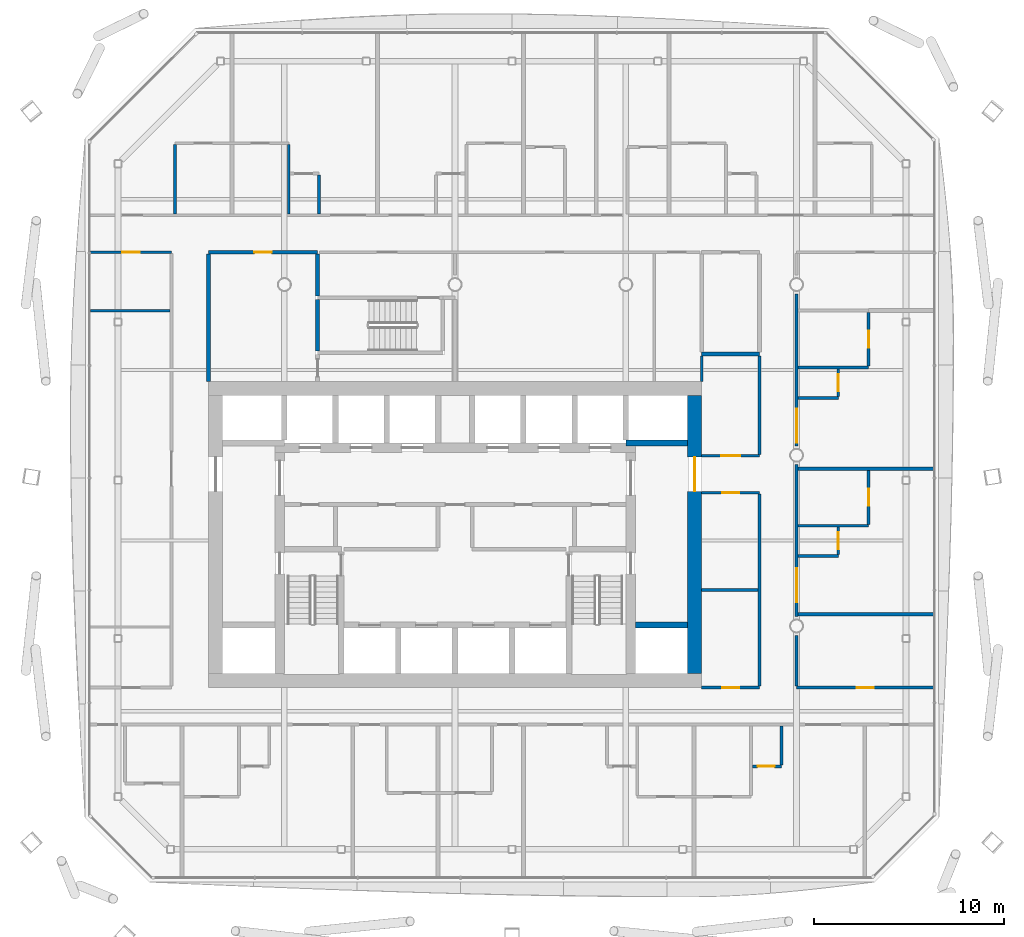
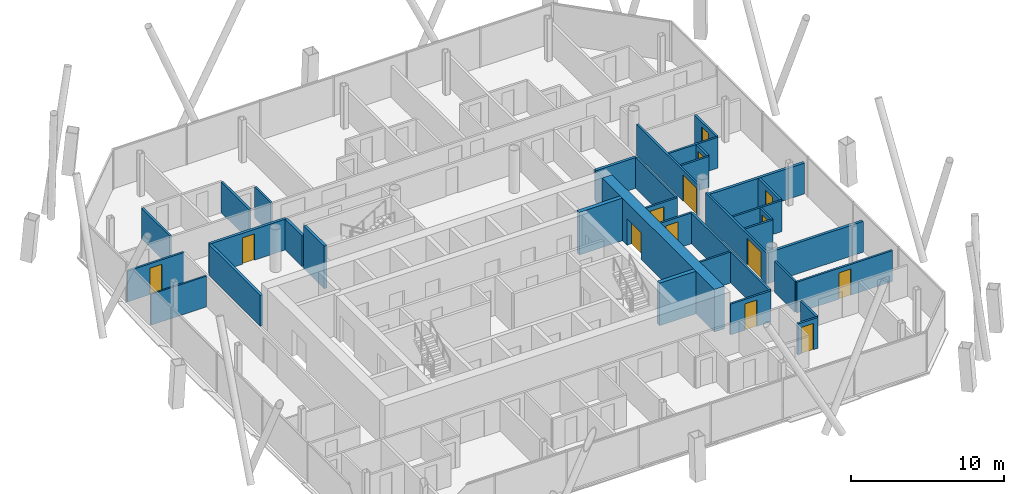
# One storey, part 16 of 23: 36 walls, 14 doors, 14 openings.
"""IFC4 building model written with IfcOpenShell, lengths in metres."""

from ifc_helpers import new_model, si_unit, direction, frame, frame_2d, origin, place, context, subcontext, project, spatial, rectangle, extrude, material, layer, layer_set, type_object, element, fill, save


model = new_model("IFC4")

# Units and contexts
model_context = context("Model", 3, precision=1e-05, world=origin(), true_north=direction((0.0, 1.0)))
body_context = subcontext(model_context, "Body", "Model", "MODEL_VIEW")
ifc_project = project(units=[si_unit("LENGTHUNIT", "METRE"), si_unit("AREAUNIT", "SQUARE_METRE"), si_unit("VOLUMEUNIT", "CUBIC_METRE"), si_unit("PLANEANGLEUNIT", "RADIAN"), si_unit("MASSUNIT", "GRAM", prefix="KILO")], contexts=[model_context])

# Site, building, storey
site_placement = place(None, origin())
site = spatial("IfcSite", under=ifc_project, at=site_placement, CompositionType="ELEMENT")
building_placement = place(site_placement, origin())
building = spatial("IfcBuilding", under=site, at=building_placement, Name="Tskaro Facet Tower", CompositionType="ELEMENT")
storey_placement = place(building_placement, frame((0.0, 0.0, 141.89990234375)))
storey = spatial("IfcBuildingStorey", under=building, at=storey_placement, Name="L34", CompositionType="ELEMENT", Elevation=141.89990234375)

# Walls
ifc_material_1 = material(Name="Concrete C60/75", Category="concrete")
ifc_layer_1 = layer(ifc_material_1, 0.300048828125, Name="Concrete C60/75")
ifc_layer_set_1 = layer_set([ifc_layer_1], Name="Concrete C60/75")
wall_type_1 = type_object("IfcWallType", Name="CORE-SHAFT", PredefinedType="SHEAR", material=ifc_layer_set_1)
wall_1_placement = place(storey_placement, frame((9.5, -8.949951171875, 0.0), z_axis=(0.0, 0.0, 1.0), x_axis=(1.0, 0.0, 0.0)))
element("IfcWall", 1, at=wall_1_placement, inside=storey, type_object=wall_type_1, Name="Shaft wall W015", PredefinedType="SHEAR", context=body_context, shape_type="SweptSolid", body=[
    extrude(rectangle(XDim=2.75, YDim=0.300048828125, at=frame_2d((1.375, 0.0))), origin(), (0.0, 0.0, 1.0), 3.400146484375),
])
wall_2_placement = place(storey_placement, frame((12.25, 0.64990234375, 0.0), z_axis=(0.0, 0.0, 1.0), x_axis=(-1.0, 0.0, 0.0)))
element("IfcWall", 2, at=wall_2_placement, inside=storey, type_object=wall_type_1, Name="Shaft wall W029", PredefinedType="SHEAR", context=body_context, shape_type="SweptSolid", body=[
    extrude(rectangle(XDim=3.25, YDim=0.300048828125, at=frame_2d((1.625, 0.0))), origin(), (0.0, 0.0, 1.0), 3.400146484375),
])

# Wall, opening, door
ifc_material_2 = material(Name="Concrete C50/60", Category="concrete")
ifc_layer_2 = layer(ifc_material_2, 0.75, Name="Concrete C50/60")
ifc_layer_set_2 = layer_set([ifc_layer_2], Name="Concrete C50/60")
wall_type_2 = type_object("IfcWallType", Name="Core wall 750", PredefinedType="SHEAR", material=ifc_layer_set_2)
wall_3_placement = place(storey_placement, frame((12.625, -11.5, 0.0), z_axis=(0.0, 0.0, 1.0), x_axis=(0.0, 1.0, 0.0)))
wall_3 = element("IfcWall", 3, at=wall_3_placement, inside=storey, type_object=wall_type_2, Name="Core wall CW-Z2E", PredefinedType="SHEAR", context=body_context, shape_type="SweptSolid", body=[
    extrude(rectangle(XDim=14.64990234375, YDim=0.75, at=frame_2d((7.324951171875, 0.0))), origin(), (0.0, 0.0, 1.0), 3.400146484375),
])
opening_1_placement = place(wall_3_placement, frame((9.60009765625, 0.0, 0.0)))
opening_1 = element("IfcOpeningElement", 4, at=opening_1_placement, cuts=wall_3, Name="Opening T10-D33", PredefinedType="OPENING", context=body_context, shape_type="SweptSolid", body=[
    extrude(rectangle(XDim=1.800048828125, YDim=2.10009765625, at=frame_2d((0.89990234375, 1.050048828125))), frame((0.0, 0.385009765625, 0.0), z_axis=(0.0, -1.0, 0.0), x_axis=(1.0, 0.0, 0.0)), (0.0, 0.0, 1.0), 0.77001953125),
])
ifc_material_3 = material(Name="Steel", Category="steel")
door_type_1 = type_object("IfcDoorType", Name="D-CORE-PAIR", OperationType="NOTDEFINED", PredefinedType="DOOR", material=ifc_material_3)
door_1_placement = place(opening_1_placement, origin())
door_1 = element("IfcDoor", 5, at=door_1_placement, inside=storey, type_object=door_type_1, Name="Door T10-D33", OperationType="DOUBLE_DOOR_SINGLE_SWING", OverallHeight=2.10009765625, OverallWidth=1.800048828125, PredefinedType="DOOR", context=body_context, shape_type="SweptSolid", body=[
    extrude(rectangle(XDim=1.800048828125, YDim=2.10009765625, at=frame_2d((0.89990234375, 1.050048828125))), frame((0.0, 0.02490234375, 0.0), z_axis=(0.0, -1.0, 0.0), x_axis=(1.0, 0.0, 0.0)), (0.0, 0.0, 1.0), 0.050048828125),
])
fill(opening_1, door_1)

# Wall
ifc_material_4 = material(Name="Gypsum board on steel studs", Category="steel")
ifc_layer_3 = layer(ifc_material_4, 0.125, Name="Gypsum board on steel studs")
ifc_layer_set_3 = layer_set([ifc_layer_3], Name="Gypsum board on steel studs")
wall_type_3 = type_object("IfcWallType", Name="PART", PredefinedType="PARTITIONING", material=ifc_layer_set_3)
wall_4_placement = place(storey_placement, frame((-19.221923828125, 7.6259765625, 0.0), z_axis=(0.0, 0.0, 1.0), x_axis=(1.0, 0.0, 0.0)))
element("IfcWall", 6, at=wall_4_placement, inside=storey, type_object=wall_type_3, Name="Partition W034", PredefinedType="PARTITIONING", context=body_context, shape_type="SweptSolid", body=[
    extrude(rectangle(XDim=4.197021484375, YDim=0.125, at=frame_2d((2.0986328125, 0.0))), origin(), (0.0, 0.0, 1.0), 2.460205078125),
])

# Wall, opening, door
ifc_layer_4 = layer(ifc_material_4, 0.14990234375, Name="Gypsum board on steel studs")
ifc_layer_set_4 = layer_set([ifc_layer_4], Name="Gypsum board on steel studs")
wall_type_4 = type_object("IfcWallType", Name="PART-CORR", PredefinedType="PARTITIONING", material=ifc_layer_set_4)
wall_5_placement = place(storey_placement, frame((15.675048828125, -16.39990234375, 0.0), z_axis=(0.0, 0.0, 1.0), x_axis=(1.0, 0.0, 0.0)))
wall_5 = element("IfcWall", 7, at=wall_5_placement, inside=storey, type_object=wall_type_4, Name="Corridor wall W007", PredefinedType="PARTITIONING", context=body_context, shape_type="SweptSolid", body=[
    extrude(rectangle(XDim=1.52490234375, YDim=0.14990234375, at=frame_2d((0.762451171875, 0.0))), origin(), (0.0, 0.0, 1.0), 2.460205078125),
])
opening_2_placement = place(wall_5_placement, frame((0.27490234375, 0.0, 0.0)))
opening_2 = element("IfcOpeningElement", 8, at=opening_2_placement, cuts=wall_5, Name="Opening T10-D09", PredefinedType="OPENING", context=body_context, shape_type="SweptSolid", body=[
    extrude(rectangle(XDim=0.89990234375, YDim=2.10009765625, at=frame_2d((0.449951171875, 1.050048828125))), frame((0.0, 0.0849609375, 0.0), z_axis=(0.0, -1.0, 0.0), x_axis=(1.0, 0.0, 0.0)), (0.0, 0.0, 1.0), 0.169921875),
])
ifc_material_5 = material(Name="Timber", Category="wood")
door_type_2 = type_object("IfcDoorType", Name="D-ROOM", OperationType="NOTDEFINED", PredefinedType="DOOR", material=ifc_material_5)
door_2_placement = place(opening_2_placement, origin())
door_2 = element("IfcDoor", 9, at=door_2_placement, inside=storey, type_object=door_type_2, Name="Door T10-D09", OperationType="SINGLE_SWING_LEFT", OverallHeight=2.10009765625, OverallWidth=0.89990234375, PredefinedType="DOOR", context=body_context, shape_type="SweptSolid", body=[
    extrude(rectangle(XDim=0.89990234375, YDim=2.10009765625, at=frame_2d((0.449951171875, 1.050048828125))), frame((0.0, 0.02490234375, 0.0), z_axis=(0.0, -1.0, 0.0), x_axis=(1.0, 0.0, 0.0)), (0.0, 0.0, 1.0), 0.050048828125),
])
fill(opening_2, door_2)

wall_6_placement = place(storey_placement, frame((13.0, -12.25, 0.0), z_axis=(0.0, 0.0, 1.0), x_axis=(1.0, 0.0, 0.0)))
wall_6 = element("IfcWall", 10, at=wall_6_placement, inside=storey, type_object=wall_type_4, Name="Corridor wall W010", PredefinedType="PARTITIONING", context=body_context, shape_type="SweptSolid", body=[
    extrude(rectangle(XDim=3.050048828125, YDim=0.14990234375, at=frame_2d((1.52490234375, 0.0))), origin(), (0.0, 0.0, 1.0), 2.460205078125),
])
opening_3_placement = place(wall_6_placement, frame((1.074951171875, 0.0, 0.0)))
opening_3 = element("IfcOpeningElement", 11, at=opening_3_placement, cuts=wall_6, Name="Opening T10-D18", PredefinedType="OPENING", context=body_context, shape_type="SweptSolid", body=[
    extrude(rectangle(XDim=0.89990234375, YDim=2.10009765625, at=frame_2d((0.449951171875, 1.050048828125))), frame((0.0, 0.0849609375, 0.0), z_axis=(0.0, -1.0, 0.0), x_axis=(1.0, 0.0, 0.0)), (0.0, 0.0, 1.0), 0.169921875),
])
door_3_placement = place(opening_3_placement, origin())
door_3 = element("IfcDoor", 12, at=door_3_placement, inside=storey, type_object=door_type_2, Name="Door T10-D18", OperationType="SINGLE_SWING_LEFT", OverallHeight=2.10009765625, OverallWidth=0.89990234375, PredefinedType="DOOR", context=body_context, shape_type="SweptSolid", body=[
    extrude(rectangle(XDim=0.89990234375, YDim=2.10009765625, at=frame_2d((0.449951171875, 1.050048828125))), frame((0.0, 0.02490234375, 0.0), z_axis=(0.0, -1.0, 0.0), x_axis=(1.0, 0.0, 0.0)), (0.0, 0.0, 1.0), 0.050048828125),
])
fill(opening_3, door_3)

wall_7_placement = place(storey_placement, frame((18.0, -12.25, 0.0), z_axis=(0.0, 0.0, 1.0), x_axis=(1.0, 0.0, 0.0)))
wall_7 = element("IfcWall", 13, at=wall_7_placement, inside=storey, type_object=wall_type_4, Name="Corridor wall W011", PredefinedType="PARTITIONING", context=body_context, shape_type="SweptSolid", body=[
    extrude(rectangle(XDim=7.221923828125, YDim=0.14990234375, at=frame_2d((3.61083984375, 0.0))), origin(), (0.0, 0.0, 1.0), 2.460205078125),
])
opening_4_placement = place(wall_7_placement, frame((3.160888671875, 0.0, 0.0)))
opening_4 = element("IfcOpeningElement", 14, at=opening_4_placement, cuts=wall_7, Name="Opening T10-D19", PredefinedType="OPENING", context=body_context, shape_type="SweptSolid", body=[
    extrude(rectangle(XDim=0.89990234375, YDim=2.10009765625, at=frame_2d((0.449951171875, 1.050048828125))), frame((0.0, 0.0849609375, 0.0), z_axis=(0.0, -1.0, 0.0), x_axis=(1.0, 0.0, 0.0)), (0.0, 0.0, 1.0), 0.169921875),
])
door_4_placement = place(opening_4_placement, origin())
door_4 = element("IfcDoor", 15, at=door_4_placement, inside=storey, type_object=door_type_2, Name="Door T10-D19", OperationType="SINGLE_SWING_LEFT", OverallHeight=2.10009765625, OverallWidth=0.89990234375, PredefinedType="DOOR", context=body_context, shape_type="SweptSolid", body=[
    extrude(rectangle(XDim=0.89990234375, YDim=2.10009765625, at=frame_2d((0.449951171875, 1.050048828125))), frame((0.0, 0.02490234375, 0.0), z_axis=(0.0, -1.0, 0.0), x_axis=(1.0, 0.0, 0.0)), (0.0, 0.0, 1.0), 0.050048828125),
])
fill(opening_4, door_4)

# Walls
wall_8_placement = place(storey_placement, frame((13.0, -7.112060546875, 0.0), z_axis=(0.0, 0.0, 1.0), x_axis=(1.0, 0.0, 0.0)))
element("IfcWall", 16, at=wall_8_placement, inside=storey, type_object=wall_type_4, Name="Corridor wall W017", PredefinedType="PARTITIONING", context=body_context, shape_type="SweptSolid", body=[
    extrude(rectangle(XDim=2.97509765625, YDim=0.14990234375, at=frame_2d((1.487548828125, 0.0))), origin(), (0.0, 0.0, 1.0), 2.460205078125),
])
wall_9_placement = place(storey_placement, frame((18.074951171875, -5.31591796875, 0.0), z_axis=(0.0, 0.0, 1.0), x_axis=(1.0, 0.0, 0.0)))
element("IfcWall", 17, at=wall_9_placement, inside=storey, type_object=wall_type_4, Name="Corridor wall W018", PredefinedType="PARTITIONING", context=body_context, shape_type="SweptSolid", body=[
    extrude(rectangle(XDim=2.125, YDim=0.14990234375, at=frame_2d((1.0625, 0.0))), origin(), (0.0, 0.0, 1.0), 2.460205078125),
])
wall_10_placement = place(storey_placement, frame((18.074951171875, -3.716064453125, 0.0), z_axis=(0.0, 0.0, 1.0), x_axis=(1.0, 0.0, 0.0)))
element("IfcWall", 18, at=wall_10_placement, inside=storey, type_object=wall_type_4, Name="Corridor wall W023", PredefinedType="PARTITIONING", context=body_context, shape_type="SweptSolid", body=[
    extrude(rectangle(XDim=3.72509765625, YDim=0.14990234375, at=frame_2d((1.862548828125, 0.0))), origin(), (0.0, 0.0, 1.0), 2.460205078125),
])

# Wall, opening, door
wall_11_placement = place(storey_placement, frame((16.050048828125, -1.97509765625, 0.0), z_axis=(0.0, 0.0, 1.0), x_axis=(-1.0, 0.0, 0.0)))
wall_11 = element("IfcWall", 19, at=wall_11_placement, inside=storey, type_object=wall_type_4, Name="Corridor wall W025", PredefinedType="PARTITIONING", context=body_context, shape_type="SweptSolid", body=[
    extrude(rectangle(XDim=3.050048828125, YDim=0.14990234375, at=frame_2d((1.52490234375, 0.0))), origin(), (0.0, 0.0, 1.0), 2.460205078125),
])
opening_5_placement = place(wall_11_placement, frame((1.074951171875, 0.0, 0.0)))
opening_5 = element("IfcOpeningElement", 20, at=opening_5_placement, cuts=wall_11, Name="Opening T10-D29", PredefinedType="OPENING", context=body_context, shape_type="SweptSolid", body=[
    extrude(rectangle(XDim=0.89990234375, YDim=2.10009765625, at=frame_2d((0.449951171875, 1.050048828125))), frame((0.0, 0.0849609375, 0.0), z_axis=(0.0, -1.0, 0.0), x_axis=(1.0, 0.0, 0.0)), (0.0, 0.0, 1.0), 0.169921875),
])
door_5_placement = place(opening_5_placement, origin())
door_5 = element("IfcDoor", 21, at=door_5_placement, inside=storey, type_object=door_type_2, Name="Door T10-D29", OperationType="SINGLE_SWING_RIGHT", OverallHeight=2.10009765625, OverallWidth=0.89990234375, PredefinedType="DOOR", context=body_context, shape_type="SweptSolid", body=[
    extrude(rectangle(XDim=0.89990234375, YDim=2.10009765625, at=frame_2d((0.449951171875, 1.050048828125))), frame((0.0, 0.02490234375, 0.0), z_axis=(0.0, -1.0, 0.0), x_axis=(1.0, 0.0, 0.0)), (0.0, 0.0, 1.0), 0.050048828125),
])
fill(opening_5, door_5)

wall_12_placement = place(storey_placement, frame((13.0, -0.02490234375, 0.0), z_axis=(0.0, 0.0, 1.0), x_axis=(1.0, 0.0, 0.0)))
wall_12 = element("IfcWall", 22, at=wall_12_placement, inside=storey, type_object=wall_type_4, Name="Corridor wall W027", PredefinedType="PARTITIONING", context=body_context, shape_type="SweptSolid", body=[
    extrude(rectangle(XDim=3.050048828125, YDim=0.14990234375, at=frame_2d((1.52490234375, 0.0))), origin(), (0.0, 0.0, 1.0), 2.460205078125),
])
opening_6_placement = place(wall_12_placement, frame((1.02490234375, 0.0, 0.0)))
opening_6 = element("IfcOpeningElement", 23, at=opening_6_placement, cuts=wall_12, Name="Opening T10-D35", PredefinedType="OPENING", context=body_context, shape_type="SweptSolid", body=[
    extrude(rectangle(XDim=1.0, YDim=2.10009765625, at=frame_2d((0.5, 1.050048828125))), frame((0.0, 0.0849609375, 0.0), z_axis=(0.0, -1.0, 0.0), x_axis=(1.0, 0.0, 0.0)), (0.0, 0.0, 1.0), 0.169921875),
])
door_type_3 = type_object("IfcDoorType", Name="D-ROOM-WIDE", OperationType="NOTDEFINED", PredefinedType="DOOR", material=ifc_material_5)
door_6_placement = place(opening_6_placement, origin())
door_6 = element("IfcDoor", 24, at=door_6_placement, inside=storey, type_object=door_type_3, Name="Door T10-D35", OperationType="SINGLE_SWING_LEFT", OverallHeight=2.10009765625, OverallWidth=1.0, PredefinedType="DOOR", context=body_context, shape_type="SweptSolid", body=[
    extrude(rectangle(XDim=1.0, YDim=2.10009765625, at=frame_2d((0.5, 1.050048828125))), frame((0.0, 0.02490234375, 0.0), z_axis=(0.0, -1.0, 0.0), x_axis=(1.0, 0.0, 0.0)), (0.0, 0.0, 1.0), 0.050048828125),
])
fill(opening_6, door_6)

# Walls
wall_13_placement = place(storey_placement, frame((18.074951171875, 3.02587890625, 0.0), z_axis=(0.0, 0.0, 1.0), x_axis=(1.0, 0.0, 0.0)))
element("IfcWall", 25, at=wall_13_placement, inside=storey, type_object=wall_type_4, Name="Corridor wall W030", PredefinedType="PARTITIONING", context=body_context, shape_type="SweptSolid", body=[
    extrude(rectangle(XDim=2.125, YDim=0.14990234375, at=frame_2d((1.0625, 0.0))), origin(), (0.0, 0.0, 1.0), 2.460205078125),
])
wall_14_placement = place(storey_placement, frame((18.074951171875, 4.6259765625, 0.0), z_axis=(0.0, 0.0, 1.0), x_axis=(1.0, 0.0, 0.0)))
element("IfcWall", 26, at=wall_14_placement, inside=storey, type_object=wall_type_4, Name="Corridor wall W031", PredefinedType="PARTITIONING", context=body_context, shape_type="SweptSolid", body=[
    extrude(rectangle(XDim=3.72509765625, YDim=0.14990234375, at=frame_2d((1.862548828125, 0.0))), origin(), (0.0, 0.0, 1.0), 2.460205078125),
])

# Wall, opening, door
wall_15_placement = place(storey_placement, frame((-14.949951171875, 10.699951171875, 0.0), z_axis=(0.0, 0.0, 1.0), x_axis=(-1.0, 0.0, 0.0)))
wall_15 = element("IfcWall", 27, at=wall_15_placement, inside=storey, type_object=wall_type_4, Name="Corridor wall W039", PredefinedType="PARTITIONING", context=body_context, shape_type="SweptSolid", body=[
    extrude(rectangle(XDim=4.27197265625, YDim=0.14990234375, at=frame_2d((2.135986328125, 0.0))), origin(), (0.0, 0.0, 1.0), 2.460205078125),
])
opening_7_placement = place(wall_15_placement, frame((1.68603515625, 0.0, 0.0)))
opening_7 = element("IfcOpeningElement", 28, at=opening_7_placement, cuts=wall_15, Name="Opening T10-D42", PredefinedType="OPENING", context=body_context, shape_type="SweptSolid", body=[
    extrude(rectangle(XDim=0.89990234375, YDim=2.10009765625, at=frame_2d((0.449951171875, 1.050048828125))), frame((0.0, 0.0849609375, 0.0), z_axis=(0.0, -1.0, 0.0), x_axis=(1.0, 0.0, 0.0)), (0.0, 0.0, 1.0), 0.169921875),
])
door_7_placement = place(opening_7_placement, origin())
door_7 = element("IfcDoor", 29, at=door_7_placement, inside=storey, type_object=door_type_2, Name="Door T10-D42", OperationType="SINGLE_SWING_RIGHT", OverallHeight=2.10009765625, OverallWidth=0.89990234375, PredefinedType="DOOR", context=body_context, shape_type="SweptSolid", body=[
    extrude(rectangle(XDim=0.89990234375, YDim=2.10009765625, at=frame_2d((0.449951171875, 1.050048828125))), frame((0.0, 0.02490234375, 0.0), z_axis=(0.0, -1.0, 0.0), x_axis=(1.0, 0.0, 0.0)), (0.0, 0.0, 1.0), 0.050048828125),
])
fill(opening_7, door_7)

# Walls
for number, where, z_axis, x_axis, name in (
    (30, (-14.76806640625, 12.72509765625, 0.0), (0.0, 0.0, 1.0), (0.0, 1.0, 0.0), "Corridor wall W056"),
    (31, (-8.76806640625, 12.72509765625, 0.0), (0.0, 0.0, 1.0), (0.0, 1.0, 0.0), "Corridor wall W063"),
):
    element("IfcWall", number, at=place(storey_placement, frame(where, z_axis=z_axis, x_axis=x_axis)), inside=storey, type_object=wall_type_4, Name=name, PredefinedType="PARTITIONING", context=body_context, shape_type="SweptSolid", body=[
        extrude(rectangle(XDim=3.64990234375, YDim=0.14990234375, at=frame_2d((1.824951171875, 0.0))), origin(), (0.0, 0.0, 1.0), 2.460205078125),
    ])
wall_16_placement = place(storey_placement, frame((-7.16796875, 12.72509765625, 0.0), z_axis=(0.0, 0.0, 1.0), x_axis=(0.0, 1.0, 0.0)))
element("IfcWall", 32, at=wall_16_placement, inside=storey, type_object=wall_type_4, Name="Corridor wall W067", PredefinedType="PARTITIONING", context=body_context, shape_type="SweptSolid", body=[
    extrude(rectangle(XDim=2.0498046875, YDim=0.14990234375, at=frame_2d((1.02490234375, 0.0))), origin(), (0.0, 0.0, 1.0), 2.460205078125),
])
wall_17_placement = place(storey_placement, frame((13.0, 3.89990234375, 0.0), z_axis=(0.0, 0.0, 1.0), x_axis=(0.0, 1.0, 0.0)))
element("IfcWall", 33, at=wall_17_placement, inside=storey, type_object=wall_type_4, Name="Corridor wall W104", PredefinedType="PARTITIONING", context=body_context, shape_type="SweptSolid", body=[
    extrude(rectangle(XDim=1.337158203125, YDim=0.14990234375, at=frame_2d((0.66845703125, 0.0))), origin(), (0.0, 0.0, 1.0), 2.460205078125),
])
wall_18_placement = place(storey_placement, frame((16.050048828125, -12.175048828125, 0.0), z_axis=(0.0, 0.0, 1.0), x_axis=(0.0, 1.0, 0.0)))
element("IfcWall", 34, at=wall_18_placement, inside=storey, type_object=wall_type_4, Name="Corridor wall W109", PredefinedType="PARTITIONING", context=body_context, shape_type="SweptSolid", body=[
    extrude(rectangle(XDim=10.125, YDim=0.14990234375, at=frame_2d((5.0625, 0.0))), origin(), (0.0, 0.0, 1.0), 2.460205078125),
])
wall_19_placement = place(storey_placement, frame((16.050048828125, 0.050048828125, 0.0), z_axis=(0.0, 0.0, 1.0), x_axis=(0.0, 1.0, 0.0)))
element("IfcWall", 35, at=wall_19_placement, inside=storey, type_object=wall_type_4, Name="Corridor wall W110", PredefinedType="PARTITIONING", context=body_context, shape_type="SweptSolid", body=[
    extrude(rectangle(XDim=5.18701171875, YDim=0.14990234375, at=frame_2d((2.593505859375, 0.0))), origin(), (0.0, 0.0, 1.0), 2.460205078125),
])
wall_20_placement = place(storey_placement, frame((17.199951171875, -16.324951171875, 0.0), z_axis=(0.0, 0.0, 1.0), x_axis=(0.0, 1.0, 0.0)))
element("IfcWall", 36, at=wall_20_placement, inside=storey, type_object=wall_type_4, Name="Corridor wall W112", PredefinedType="PARTITIONING", context=body_context, shape_type="SweptSolid", body=[
    extrude(rectangle(XDim=2.050048828125, YDim=0.14990234375, at=frame_2d((1.02490234375, 0.0))), origin(), (0.0, 0.0, 1.0), 2.460205078125),
])
wall_21_placement = place(storey_placement, frame((18.0, -12.175048828125, 0.0), z_axis=(0.0, 0.0, 1.0), x_axis=(0.0, 1.0, 0.0)))
element("IfcWall", 37, at=wall_21_placement, inside=storey, type_object=wall_type_4, Name="Corridor wall W113", PredefinedType="PARTITIONING", context=body_context, shape_type="SweptSolid", body=[
    extrude(rectangle(XDim=2.675048828125, YDim=0.14990234375, at=frame_2d((1.33740234375, 0.0))), origin(), (0.0, 0.0, 1.0), 2.460205078125),
])

# Wall, opening, door
wall_22_placement = place(storey_placement, frame((18.0, -0.5, 0.0), z_axis=(0.0, 0.0, 1.0), x_axis=(0.0, -1.0, 0.0)))
wall_22 = element("IfcWall", 38, at=wall_22_placement, inside=storey, type_object=wall_type_4, Name="Corridor wall W114", PredefinedType="PARTITIONING", context=body_context, shape_type="SweptSolid", body=[
    extrude(rectangle(XDim=8.0, YDim=0.14990234375, at=frame_2d((4.0, 0.0))), origin(), (0.0, 0.0, 1.0), 2.460205078125),
])
opening_8_placement = place(wall_22_placement, frame((5.447998046875, 0.0, 0.0)))
opening_8 = element("IfcOpeningElement", 39, at=opening_8_placement, cuts=wall_22, Name="Opening T10-D22", PredefinedType="OPENING", context=body_context, shape_type="SweptSolid", body=[
    extrude(rectangle(XDim=1.800048828125, YDim=2.10009765625, at=frame_2d((0.89990234375, 1.050048828125))), frame((0.0, 0.0849609375, 0.0), z_axis=(0.0, -1.0, 0.0), x_axis=(1.0, 0.0, 0.0)), (0.0, 0.0, 1.0), 0.169921875),
])
door_type_4 = type_object("IfcDoorType", Name="D-SUITE-PAIR", OperationType="NOTDEFINED", PredefinedType="DOOR", material=ifc_material_5)
door_8_placement = place(opening_8_placement, origin())
door_8 = element("IfcDoor", 40, at=door_8_placement, inside=storey, type_object=door_type_4, Name="Door T10-D22", OperationType="DOUBLE_DOOR_SINGLE_SWING", OverallHeight=2.10009765625, OverallWidth=1.800048828125, PredefinedType="DOOR", context=body_context, shape_type="SweptSolid", body=[
    extrude(rectangle(XDim=1.800048828125, YDim=2.10009765625, at=frame_2d((0.89990234375, 1.050048828125))), frame((0.0, 0.02490234375, 0.0), z_axis=(0.0, -1.0, 0.0), x_axis=(1.0, 0.0, 0.0)), (0.0, 0.0, 1.0), 0.050048828125),
])
fill(opening_8, door_8)

wall_23_placement = place(storey_placement, frame((18.0, 8.5, 0.0), z_axis=(0.0, 0.0, 1.0), x_axis=(0.0, -1.0, 0.0)))
wall_23 = element("IfcWall", 41, at=wall_23_placement, inside=storey, type_object=wall_type_4, Name="Corridor wall W115", PredefinedType="PARTITIONING", context=body_context, shape_type="SweptSolid", body=[
    extrude(rectangle(XDim=8.0, YDim=0.14990234375, at=frame_2d((4.0, 0.0))), origin(), (0.0, 0.0, 1.0), 2.460205078125),
])
opening_9_placement = place(wall_23_placement, frame((6.050048828125, 0.0, 0.0)))
opening_9 = element("IfcOpeningElement", 42, at=opening_9_placement, cuts=wall_23, Name="Opening T10-D38", PredefinedType="OPENING", context=body_context, shape_type="SweptSolid", body=[
    extrude(rectangle(XDim=1.800048828125, YDim=2.10009765625, at=frame_2d((0.89990234375, 1.050048828125))), frame((0.0, 0.0849609375, 0.0), z_axis=(0.0, -1.0, 0.0), x_axis=(1.0, 0.0, 0.0)), (0.0, 0.0, 1.0), 0.169921875),
])
door_9_placement = place(opening_9_placement, origin())
door_9 = element("IfcDoor", 43, at=door_9_placement, inside=storey, type_object=door_type_4, Name="Door T10-D38", OperationType="DOUBLE_DOOR_SINGLE_SWING", OverallHeight=2.10009765625, OverallWidth=1.800048828125, PredefinedType="DOOR", context=body_context, shape_type="SweptSolid", body=[
    extrude(rectangle(XDim=1.800048828125, YDim=2.10009765625, at=frame_2d((0.89990234375, 1.050048828125))), frame((0.0, 0.02490234375, 0.0), z_axis=(0.0, -1.0, 0.0), x_axis=(1.0, 0.0, 0.0)), (0.0, 0.0, 1.0), 0.050048828125),
])
fill(opening_9, door_9)

wall_24_placement = place(storey_placement, frame((20.199951171875, -5.240966796875, 0.0), z_axis=(0.0, 0.0, 1.0), x_axis=(0.0, 1.0, 0.0)))
wall_24 = element("IfcWall", 44, at=wall_24_placement, inside=storey, type_object=wall_type_4, Name="Corridor wall W118", PredefinedType="PARTITIONING", context=body_context, shape_type="SweptSolid", body=[
    extrude(rectangle(XDim=1.449951171875, YDim=0.14990234375, at=frame_2d((0.72509765625, 0.0))), origin(), (0.0, 0.0, 1.0), 2.460205078125),
])
opening_10_placement = place(wall_24_placement, frame((0.27490234375, 0.0, 0.0)))
opening_10 = element("IfcOpeningElement", 45, at=opening_10_placement, cuts=wall_24, Name="Opening T10-D23", PredefinedType="OPENING", context=body_context, shape_type="SweptSolid", body=[
    extrude(rectangle(XDim=0.89990234375, YDim=2.10009765625, at=frame_2d((0.449951171875, 1.050048828125))), frame((0.0, 0.0849609375, 0.0), z_axis=(0.0, -1.0, 0.0), x_axis=(1.0, 0.0, 0.0)), (0.0, 0.0, 1.0), 0.169921875),
])
door_10_placement = place(opening_10_placement, origin())
door_10 = element("IfcDoor", 46, at=door_10_placement, inside=storey, type_object=door_type_2, Name="Door T10-D23", OperationType="SINGLE_SWING_LEFT", OverallHeight=2.10009765625, OverallWidth=0.89990234375, PredefinedType="DOOR", context=body_context, shape_type="SweptSolid", body=[
    extrude(rectangle(XDim=0.89990234375, YDim=2.10009765625, at=frame_2d((0.449951171875, 1.050048828125))), frame((0.0, 0.02490234375, 0.0), z_axis=(0.0, -1.0, 0.0), x_axis=(1.0, 0.0, 0.0)), (0.0, 0.0, 1.0), 0.050048828125),
])
fill(opening_10, door_10)

wall_25_placement = place(storey_placement, frame((20.199951171875, 3.10107421875, 0.0), z_axis=(0.0, 0.0, 1.0), x_axis=(0.0, 1.0, 0.0)))
wall_25 = element("IfcWall", 47, at=wall_25_placement, inside=storey, type_object=wall_type_4, Name="Corridor wall W119", PredefinedType="PARTITIONING", context=body_context, shape_type="SweptSolid", body=[
    extrude(rectangle(XDim=1.449951171875, YDim=0.14990234375, at=frame_2d((0.72509765625, 0.0))), origin(), (0.0, 0.0, 1.0), 2.460205078125),
])
opening_11_placement = place(wall_25_placement, frame((0.27490234375, 0.0, 0.0)))
opening_11 = element("IfcOpeningElement", 48, at=opening_11_placement, cuts=wall_25, Name="Opening T10-D39", PredefinedType="OPENING", context=body_context, shape_type="SweptSolid", body=[
    extrude(rectangle(XDim=0.89990234375, YDim=2.10009765625, at=frame_2d((0.449951171875, 1.050048828125))), frame((0.0, 0.0849609375, 0.0), z_axis=(0.0, -1.0, 0.0), x_axis=(1.0, 0.0, 0.0)), (0.0, 0.0, 1.0), 0.169921875),
])
door_11_placement = place(opening_11_placement, origin())
door_11 = element("IfcDoor", 49, at=door_11_placement, inside=storey, type_object=door_type_2, Name="Door T10-D39", OperationType="SINGLE_SWING_LEFT", OverallHeight=2.10009765625, OverallWidth=0.89990234375, PredefinedType="DOOR", context=body_context, shape_type="SweptSolid", body=[
    extrude(rectangle(XDim=0.89990234375, YDim=2.10009765625, at=frame_2d((0.449951171875, 1.050048828125))), frame((0.0, 0.02490234375, 0.0), z_axis=(0.0, -1.0, 0.0), x_axis=(1.0, 0.0, 0.0)), (0.0, 0.0, 1.0), 0.050048828125),
])
fill(opening_11, door_11)

wall_26_placement = place(storey_placement, frame((21.800048828125, -3.64111328125, 0.0), z_axis=(0.0, 0.0, 1.0), x_axis=(0.0, 1.0, 0.0)))
wall_26 = element("IfcWall", 50, at=wall_26_placement, inside=storey, type_object=wall_type_4, Name="Corridor wall W121", PredefinedType="PARTITIONING", context=body_context, shape_type="SweptSolid", body=[
    extrude(rectangle(XDim=2.8251953125, YDim=0.14990234375, at=frame_2d((1.41259765625, 0.0))), origin(), (0.0, 0.0, 1.0), 2.460205078125),
])
opening_12_placement = place(wall_26_placement, frame((0.97509765625, 0.0, 0.0)))
opening_12 = element("IfcOpeningElement", 51, at=opening_12_placement, cuts=wall_26, Name="Opening T10-D28", PredefinedType="OPENING", context=body_context, shape_type="SweptSolid", body=[
    extrude(rectangle(XDim=0.89990234375, YDim=2.10009765625, at=frame_2d((0.449951171875, 1.050048828125))), frame((0.0, 0.0849609375, 0.0), z_axis=(0.0, -1.0, 0.0), x_axis=(1.0, 0.0, 0.0)), (0.0, 0.0, 1.0), 0.169921875),
])
door_12_placement = place(opening_12_placement, origin())
door_12 = element("IfcDoor", 52, at=door_12_placement, inside=storey, type_object=door_type_2, Name="Door T10-D28", OperationType="SINGLE_SWING_LEFT", OverallHeight=2.10009765625, OverallWidth=0.89990234375, PredefinedType="DOOR", context=body_context, shape_type="SweptSolid", body=[
    extrude(rectangle(XDim=0.89990234375, YDim=2.10009765625, at=frame_2d((0.449951171875, 1.050048828125))), frame((0.0, 0.02490234375, 0.0), z_axis=(0.0, -1.0, 0.0), x_axis=(1.0, 0.0, 0.0)), (0.0, 0.0, 1.0), 0.050048828125),
])
fill(opening_12, door_12)

wall_27_placement = place(storey_placement, frame((21.800048828125, 4.700927734375, 0.0), z_axis=(0.0, 0.0, 1.0), x_axis=(0.0, 1.0, 0.0)))
wall_27 = element("IfcWall", 53, at=wall_27_placement, inside=storey, type_object=wall_type_4, Name="Corridor wall W122", PredefinedType="PARTITIONING", context=body_context, shape_type="SweptSolid", body=[
    extrude(rectangle(XDim=2.824951171875, YDim=0.14990234375, at=frame_2d((1.41259765625, 0.0))), origin(), (0.0, 0.0, 1.0), 2.460205078125),
])
opening_13_placement = place(wall_27_placement, frame((0.97509765625, 0.0, 0.0)))
opening_13 = element("IfcOpeningElement", 54, at=opening_13_placement, cuts=wall_27, Name="Opening T10-D41", PredefinedType="OPENING", context=body_context, shape_type="SweptSolid", body=[
    extrude(rectangle(XDim=0.89990234375, YDim=2.10009765625, at=frame_2d((0.449951171875, 1.050048828125))), frame((0.0, 0.0849609375, 0.0), z_axis=(0.0, -1.0, 0.0), x_axis=(1.0, 0.0, 0.0)), (0.0, 0.0, 1.0), 0.169921875),
])
door_13_placement = place(opening_13_placement, origin())
door_13 = element("IfcDoor", 55, at=door_13_placement, inside=storey, type_object=door_type_2, Name="Door T10-D41", OperationType="SINGLE_SWING_LEFT", OverallHeight=2.10009765625, OverallWidth=0.89990234375, PredefinedType="DOOR", context=body_context, shape_type="SweptSolid", body=[
    extrude(rectangle(XDim=0.89990234375, YDim=2.10009765625, at=frame_2d((0.449951171875, 1.050048828125))), frame((0.0, 0.02490234375, 0.0), z_axis=(0.0, -1.0, 0.0), x_axis=(1.0, 0.0, 0.0)), (0.0, 0.0, 1.0), 0.050048828125),
])
fill(opening_13, door_13)

# Walls
ifc_layer_5 = layer(ifc_material_4, 0.199951171875, Name="Gypsum board on steel studs")
ifc_layer_set_5 = layer_set([ifc_layer_5], Name="Gypsum board on steel studs")
wall_type_5 = type_object("IfcWallType", Name="PART-DEMISING", PredefinedType="PARTITIONING", material=ifc_layer_set_5)
for number, where, z_axis, x_axis, name in (
    (56, (18.074951171875, -8.3798828125, 0.0), (0.0, 0.0, 1.0), (1.0, 0.0, 0.0), "Guest room wall W016"),
    (57, (18.074951171875, -0.716064453125, 0.0), (0.0, 0.0, 1.0), (1.0, 0.0, 0.0), "Guest room wall W026"),
):
    element("IfcWall", number, at=place(storey_placement, frame(where, z_axis=z_axis, x_axis=x_axis)), inside=storey, type_object=wall_type_5, Name=name, PredefinedType="PARTITIONING", context=body_context, shape_type="SweptSolid", body=[
        extrude(rectangle(XDim=7.14697265625, YDim=0.199951171875, at=frame_2d((3.573486328125, 0.0))), origin(), (0.0, 0.0, 1.0), 2.460205078125),
    ])
ifc_layer_6 = layer(ifc_material_1, 0.199951171875, Name="Concrete C60/75")
ifc_layer_set_6 = layer_set([ifc_layer_6], Name="Concrete C60/75")
wall_type_6 = type_object("IfcWallType", Name="STAIR-WALL", PredefinedType="SHEAR", material=ifc_layer_set_6)
wall_28_placement = place(storey_placement, frame((-7.25, 5.5, 0.0), z_axis=(0.0, 0.0, 1.0), x_axis=(0.0, 1.0, 0.0)))
element("IfcWall", 58, at=wall_28_placement, inside=storey, type_object=wall_type_6, Name="Stair wall W065", PredefinedType="SHEAR", context=body_context, shape_type="SweptSolid", body=[
    extrude(rectangle(XDim=2.699951171875, YDim=0.199951171875, at=frame_2d((1.35009765625, 0.0))), origin(), (0.0, 0.0, 1.0), 3.400146484375),
])
ifc_material_6 = material(Name="Concrete C20/25", Category="concrete")
ifc_layer_7 = layer(ifc_material_6, 0.199951171875, Name="Concrete C20/25")
ifc_layer_set_7 = layer_set([ifc_layer_7], Name="Concrete C20/25")
wall_type_7 = type_object("IfcWallType", Name="WALL-RISER", PredefinedType="SOLIDWALL", material=ifc_layer_set_7)
wall_29_placement = place(storey_placement, frame((13.0, 5.3369140625, 0.0), z_axis=(0.0, 0.0, 1.0), x_axis=(1.0, 0.0, 0.0)))
element("IfcWall", 59, at=wall_29_placement, inside=storey, type_object=wall_type_7, Name="Riser room wall W032", PredefinedType="SOLIDWALL", context=body_context, shape_type="SweptSolid", body=[
    extrude(rectangle(XDim=3.050048828125, YDim=0.199951171875, at=frame_2d((1.52490234375, 0.0))), origin(), (0.0, 0.0, 1.0), 2.460205078125),
])

# Wall, opening, door
wall_30_placement = place(storey_placement, frame((-7.25, 10.699951171875, 0.0), z_axis=(0.0, 0.0, 1.0), x_axis=(-1.0, 0.0, 0.0)))
wall_30 = element("IfcWall", 60, at=wall_30_placement, inside=storey, type_object=wall_type_7, Name="Riser room wall W040", PredefinedType="SOLIDWALL", context=body_context, shape_type="SweptSolid", body=[
    extrude(rectangle(XDim=5.75, YDim=0.199951171875, at=frame_2d((2.875, 0.0))), origin(), (0.0, 0.0, 1.0), 2.460205078125),
])
opening_14_placement = place(wall_30_placement, frame((2.425048828125, 0.0, 0.0)))
opening_14 = element("IfcOpeningElement", 61, at=opening_14_placement, cuts=wall_30, Name="Opening T10-D43", PredefinedType="OPENING", context=body_context, shape_type="SweptSolid", body=[
    extrude(rectangle(XDim=0.89990234375, YDim=2.10009765625, at=frame_2d((0.449951171875, 1.050048828125))), frame((0.0, 0.10986328125, 0.0), z_axis=(0.0, -1.0, 0.0), x_axis=(1.0, 0.0, 0.0)), (0.0, 0.0, 1.0), 0.219970703125),
])
door_type_5 = type_object("IfcDoorType", Name="D-RISER", OperationType="NOTDEFINED", PredefinedType="DOOR", material=ifc_material_3)
door_14_placement = place(opening_14_placement, origin())
door_14 = element("IfcDoor", 62, at=door_14_placement, inside=storey, type_object=door_type_5, Name="Door T10-D43", OperationType="SINGLE_SWING_RIGHT", OverallHeight=2.10009765625, OverallWidth=0.89990234375, PredefinedType="DOOR", context=body_context, shape_type="SweptSolid", body=[
    extrude(rectangle(XDim=0.89990234375, YDim=2.10009765625, at=frame_2d((0.449951171875, 1.050048828125))), frame((0.0, 0.02490234375, 0.0), z_axis=(0.0, -1.0, 0.0), x_axis=(1.0, 0.0, 0.0)), (0.0, 0.0, 1.0), 0.050048828125),
])
fill(opening_14, door_14)

# Walls
wall_31_placement = place(storey_placement, frame((-13.0, 3.89990234375, 0.0), z_axis=(0.0, 0.0, 1.0), x_axis=(0.0, 1.0, 0.0)))
element("IfcWall", 63, at=wall_31_placement, inside=storey, type_object=wall_type_7, Name="Riser room wall W058", PredefinedType="SOLIDWALL", context=body_context, shape_type="SweptSolid", body=[
    extrude(rectangle(XDim=6.7001953125, YDim=0.199951171875, at=frame_2d((3.35009765625, 0.0))), origin(), (0.0, 0.0, 1.0), 2.460205078125),
])
wall_32_placement = place(storey_placement, frame((-7.25, 8.39990234375, 0.0), z_axis=(0.0, 0.0, 1.0), x_axis=(0.0, 1.0, 0.0)))
element("IfcWall", 64, at=wall_32_placement, inside=storey, type_object=wall_type_7, Name="Riser room wall W066", PredefinedType="SOLIDWALL", context=body_context, shape_type="SweptSolid", body=[
    extrude(rectangle(XDim=2.2001953125, YDim=0.199951171875, at=frame_2d((1.10009765625, 0.0))), origin(), (0.0, 0.0, 1.0), 2.460205078125),
])

save(model, "model.ifc")
